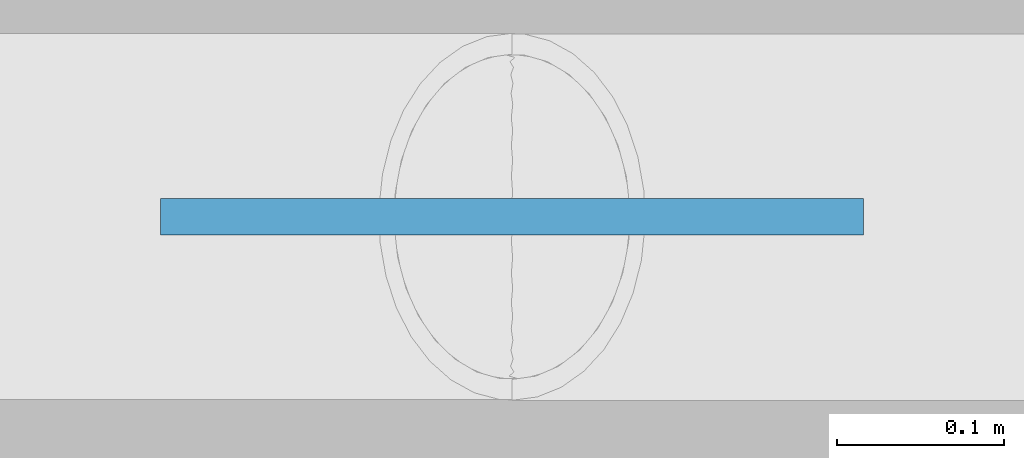
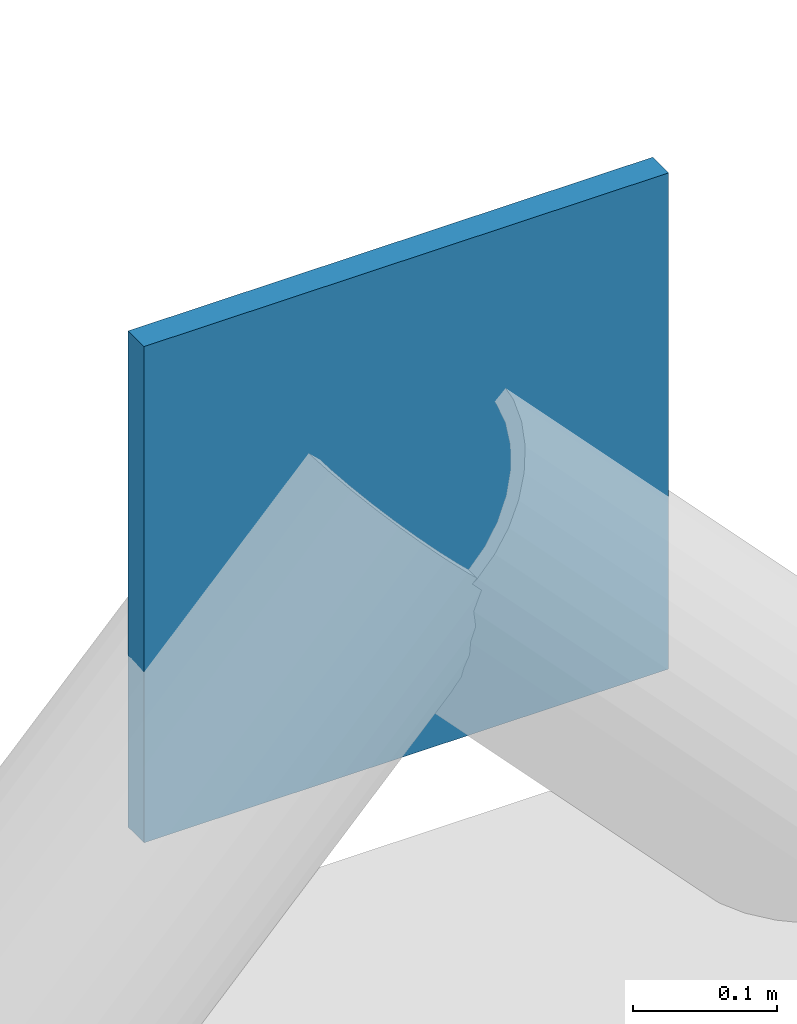
# One storey, part 88 of 141: 1 plate.
"""IFC4 building model written with IfcOpenShell, lengths in metres."""

from ifc_helpers import new_model, si_unit, direction, frame, origin, origin_2d, place, context, subcontext, project, spatial, rectangle, extrude, material, layer, layer_set, type_object, element, save


model = new_model("IFC4")

# Units and contexts
model_context = context("Model", 3, precision=1e-05, world=origin(), true_north=direction((0.0, 1.0)))
body_context = subcontext(model_context, "Body", "Model", "MODEL_VIEW")
ifc_project = project(units=[si_unit("LENGTHUNIT", "METRE"), si_unit("AREAUNIT", "SQUARE_METRE"), si_unit("VOLUMEUNIT", "CUBIC_METRE"), si_unit("PLANEANGLEUNIT", "RADIAN"), si_unit("MASSUNIT", "GRAM", prefix="KILO")], contexts=[model_context])

# Site, building, storey
site_placement = place(None, origin())
site = spatial("IfcSite", under=ifc_project, at=site_placement, CompositionType="ELEMENT")
building_placement = place(site_placement, origin())
building = spatial("IfcBuilding", under=site, at=building_placement, Name="Khelvaren Railside Concert Hall", CompositionType="ELEMENT")
storey_placement = place(building_placement, frame((0.0, 0.0, 10.199951171875)))
storey = spatial("IfcBuildingStorey", under=building, at=storey_placement, Name="L02", CompositionType="ELEMENT", Elevation=10.199951171875)

# Plate
ifc_material = material(Name="Steel S355", Category="steel")
ifc_layer = layer(ifc_material, 0.02197265625)
ifc_layer_set = layer_set([ifc_layer], Name="Steel S355")
plate_type = type_object("IfcPlateType", Name="STP73", PredefinedType="USERDEFINED", material=ifc_layer_set)
plate_placement = place(storey_placement, frame((156.0, 114.0, 4.06005859375), z_axis=(0.0, 0.0, 1.0), x_axis=(1.0, 0.0, 0.0)))
element("IfcPlate", 1, at=plate_placement, inside=storey, type_object=plate_type, Name="V5 L02 Brace Apex Stiffener Plate 62", ObjectType="STIFFENER PLATE", PredefinedType="USERDEFINED", context=body_context, shape_type="SweptSolid", body=[
    extrude(rectangle(XDim=0.419921875, YDim=0.02197265625, at=origin_2d()), origin(), (0.0, 0.0, 1.0), 0.419921875),
])

save(model, "model.ifc")
